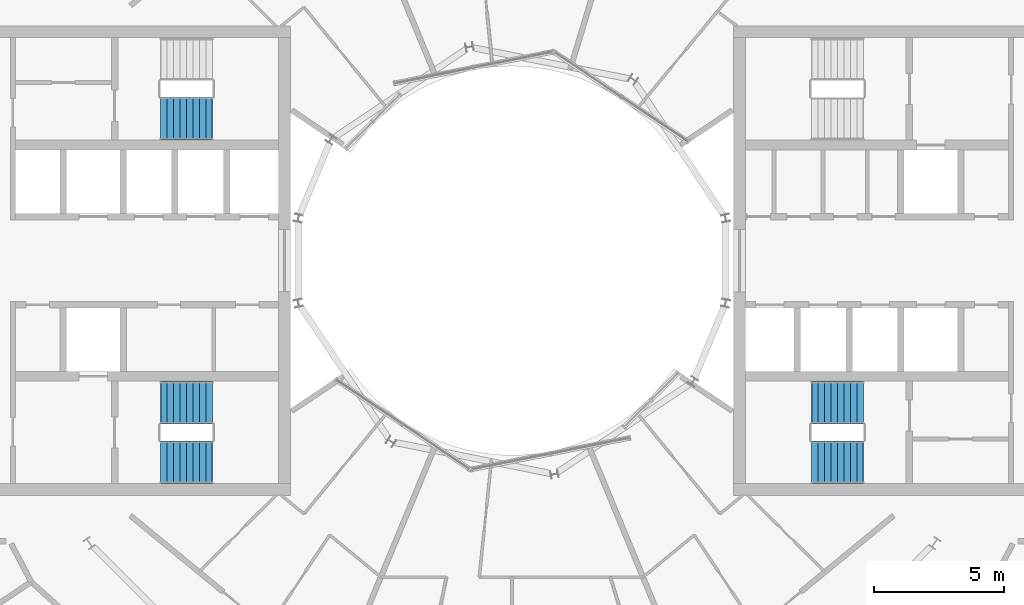
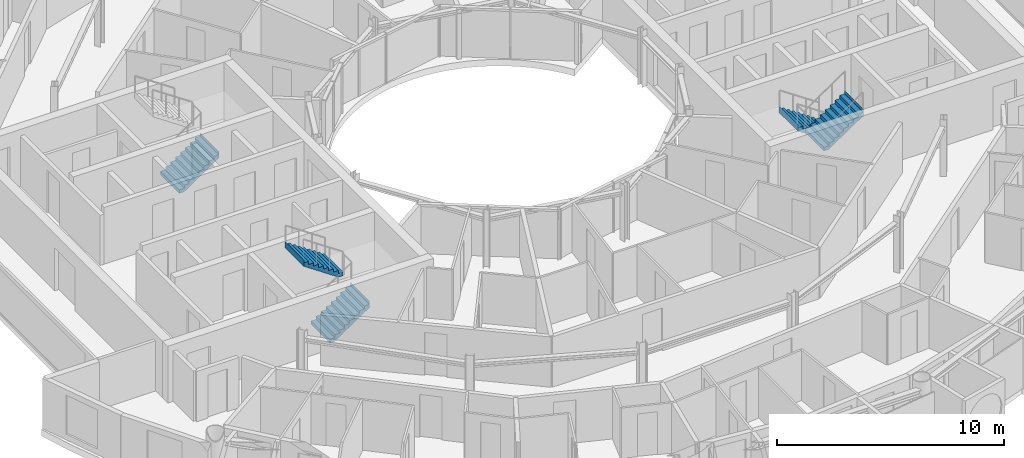
# One storey, part 26 of 29: 5 stair flights, 3 elements without a shape of their own.
"""IFC4 building model written with IfcOpenShell, lengths in metres."""

from ifc_helpers import new_model, si_unit, direction, frame, origin, place, context, subcontext, project, spatial, triangles, material, type_object, element, aggregate, save


model = new_model("IFC4")

# Units and contexts
model_context = context("Model", 3, precision=1e-05, world=origin(), true_north=direction((0.0, 1.0)))
body_context = subcontext(model_context, "Body", "Model", "MODEL_VIEW")
ifc_project = project(units=[si_unit("LENGTHUNIT", "METRE"), si_unit("AREAUNIT", "SQUARE_METRE"), si_unit("VOLUMEUNIT", "CUBIC_METRE"), si_unit("PLANEANGLEUNIT", "RADIAN"), si_unit("MASSUNIT", "GRAM", prefix="KILO")], contexts=[model_context])

# Site, building, storey
site_placement = place(None, origin())
site = spatial("IfcSite", under=ifc_project, at=site_placement, CompositionType="ELEMENT")
building_placement = place(site_placement, origin())
building = spatial("IfcBuilding", under=site, at=building_placement, Name="Maasbend Ring Residences", CompositionType="ELEMENT")
storey_placement = place(building_placement, frame((0.0, 0.0, 205.449951171875)))
storey = spatial("IfcBuildingStorey", under=building, at=storey_placement, Name="L59", CompositionType="ELEMENT", Elevation=205.449951171875)

# Stair, stair flights
ifc_material_1 = material(Name="Concrete C40/50", Category="concrete")
stair_type = type_object("IfcStairType", Name="CORE STAIR 18 RISERS", PredefinedType="HALF_TURN_STAIR", material=ifc_material_1)
stair_1_placement = place(storey_placement, origin())
stair_1 = element("IfcStair", 1, at=stair_1_placement, inside=storey, type_object=stair_type, Name="L59 Exit stair ST-E2", PredefinedType="HALF_TURN_STAIR")
ifc_material_2 = material(Name="Concrete C40/50", Category="concrete")
stair_flight_type = type_object("IfcStairFlightType", Name="CORE STAIR FLIGHT 1650", PredefinedType="STRAIGHT", material=ifc_material_2)
stair_flight_1_placement = place(storey_placement, frame((13.550048828125, -5.47509765625, 0.0), z_axis=(0.0, 0.0, 1.0), x_axis=(-1.0, 0.0, 0.0)))
stair_flight_1 = element("IfcStairFlight", 2, at=stair_flight_1_placement, type_object=stair_flight_type, Name="ST-E2 flight 1", NumberOfRisers=9, NumberOfTreads=8, PredefinedType="STRAIGHT", RiserHeight=0.169444444, TreadLength=0.25, context=body_context, shape_type="Tessellation", body=[
    triangles([(0.24072265625, 0.824951171875, -0.02001953125), (2.0029296875, 0.824951171875, 1.174560546875), (2.0029296875, 0.824951171875, 1.52490234375), (1.989990234375, 0.824951171875, 1.35546875), (1.75, 0.824951171875, 1.35546875), (1.75, 0.824951171875, 1.18603515625), (1.5, 0.824951171875, 1.18603515625), (1.5, 0.824951171875, 1.0166015625), (1.25, 0.824951171875, 1.0166015625), (1.25, 0.824951171875, 0.84716796875), (1.0, 0.824951171875, 0.84716796875), (1.0, 0.824951171875, 0.677734375), (0.75, 0.824951171875, 0.677734375), (0.75, 0.824951171875, 0.50830078125), (0.5, 0.824951171875, 0.50830078125), (0.5, 0.824951171875, 0.3388671875), (0.25, 0.824951171875, 0.3388671875), (0.25, 0.824951171875, 0.16943359375), (0.0, 0.824951171875, 0.16943359375), (0.0, 0.824951171875, 0.0), (-0.0029296875, 0.824951171875, 0.0), (-0.0029296875, 0.824951171875, -0.02001953125), (0.24072265625, 0.27490234375, -0.02001953125), (2.0029296875, 0.27490234375, 1.174560546875), (2.0029296875, 0.27490234375, 1.52490234375), (1.989990234375, 0.27490234375, 1.35546875), (1.75, 0.27490234375, 1.35546875), (1.75, 0.27490234375, 1.18603515625), (1.5, 0.27490234375, 1.18603515625), (1.5, 0.27490234375, 1.0166015625), (1.25, 0.27490234375, 1.0166015625), (1.25, 0.27490234375, 0.84716796875), (1.0, 0.27490234375, 0.84716796875), (1.0, 0.27490234375, 0.677734375), (0.75, 0.27490234375, 0.677734375), (0.75, 0.27490234375, 0.50830078125), (0.5, 0.27490234375, 0.50830078125), (0.5, 0.27490234375, 0.3388671875), (0.25, 0.27490234375, 0.3388671875), (0.25, 0.27490234375, 0.16943359375), (0.0, 0.27490234375, 0.16943359375), (0.0, 0.27490234375, 0.0), (-0.0029296875, 0.27490234375, 0.0), (-0.0029296875, 0.27490234375, -0.02001953125), (0.24072265625, -0.27490234375, -0.02001953125), (2.0029296875, -0.27490234375, 1.174560546875), (2.0029296875, -0.27490234375, 1.52490234375), (1.989990234375, -0.27490234375, 1.35546875), (1.75, -0.27490234375, 1.35546875), (1.75, -0.27490234375, 1.18603515625), (1.5, -0.27490234375, 1.18603515625), (1.5, -0.27490234375, 1.0166015625), (1.25, -0.27490234375, 1.0166015625), (1.25, -0.27490234375, 0.84716796875), (1.0, -0.27490234375, 0.84716796875), (1.0, -0.27490234375, 0.677734375), (0.75, -0.27490234375, 0.677734375), (0.75, -0.27490234375, 0.50830078125), (0.5, -0.27490234375, 0.50830078125), (0.5, -0.27490234375, 0.3388671875), (0.25, -0.27490234375, 0.3388671875), (0.25, -0.27490234375, 0.16943359375), (0.0, -0.27490234375, 0.16943359375), (0.0, -0.27490234375, 0.0), (-0.0029296875, -0.27490234375, 0.0), (-0.0029296875, -0.27490234375, -0.02001953125), (0.24072265625, -0.824951171875, -0.02001953125), (2.0029296875, -0.824951171875, 1.174560546875), (2.0029296875, -0.824951171875, 1.52490234375), (1.989990234375, -0.824951171875, 1.35546875), (1.75, -0.824951171875, 1.35546875), (1.75, -0.824951171875, 1.18603515625), (1.5, -0.824951171875, 1.18603515625), (1.5, -0.824951171875, 1.0166015625), (1.25, -0.824951171875, 1.0166015625), (1.25, -0.824951171875, 0.84716796875), (1.0, -0.824951171875, 0.84716796875), (1.0, -0.824951171875, 0.677734375), (0.75, -0.824951171875, 0.677734375), (0.75, -0.824951171875, 0.50830078125), (0.5, -0.824951171875, 0.50830078125), (0.5, -0.824951171875, 0.3388671875), (0.25, -0.824951171875, 0.3388671875), (0.25, -0.824951171875, 0.16943359375), (0.0, -0.824951171875, 0.16943359375), (0.0, -0.824951171875, 0.0), (-0.0029296875, -0.824951171875, 0.0), (-0.0029296875, -0.824951171875, -0.02001953125)], [[1, 2, 24], [1, 24, 23], [23, 24, 46], [23, 46, 45], [45, 46, 68], [45, 68, 67], [2, 3, 25], [2, 25, 24], [24, 25, 47], [24, 47, 46], [46, 47, 69], [46, 69, 68], [3, 4, 26], [3, 26, 25], [25, 26, 48], [25, 48, 47], [47, 48, 70], [47, 70, 69], [4, 5, 27], [4, 27, 26], [26, 27, 49], [26, 49, 48], [48, 49, 71], [48, 71, 70], [5, 6, 28], [5, 28, 27], [27, 28, 50], [27, 50, 49], [49, 50, 72], [49, 72, 71], [6, 7, 29], [6, 29, 28], [28, 29, 51], [28, 51, 50], [50, 51, 73], [50, 73, 72], [7, 8, 30], [7, 30, 29], [29, 30, 52], [29, 52, 51], [51, 52, 74], [51, 74, 73], [8, 9, 31], [8, 31, 30], [30, 31, 53], [30, 53, 52], [52, 53, 75], [52, 75, 74], [9, 10, 32], [9, 32, 31], [31, 32, 54], [31, 54, 53], [53, 54, 76], [53, 76, 75], [10, 11, 33], [10, 33, 32], [32, 33, 55], [32, 55, 54], [54, 55, 77], [54, 77, 76], [11, 12, 34], [11, 34, 33], [33, 34, 56], [33, 56, 55], [55, 56, 78], [55, 78, 77], [12, 13, 35], [12, 35, 34], [34, 35, 57], [34, 57, 56], [56, 57, 79], [56, 79, 78], [13, 14, 36], [13, 36, 35], [35, 36, 58], [35, 58, 57], [57, 58, 80], [57, 80, 79], [14, 15, 37], [14, 37, 36], [36, 37, 59], [36, 59, 58], [58, 59, 81], [58, 81, 80], [15, 16, 38], [15, 38, 37], [37, 38, 60], [37, 60, 59], [59, 60, 82], [59, 82, 81], [16, 17, 39], [16, 39, 38], [38, 39, 61], [38, 61, 60], [60, 61, 83], [60, 83, 82], [17, 18, 40], [17, 40, 39], [39, 40, 62], [39, 62, 61], [61, 62, 84], [61, 84, 83], [18, 19, 41], [18, 41, 40], [40, 41, 63], [40, 63, 62], [62, 63, 85], [62, 85, 84], [19, 20, 42], [19, 42, 41], [41, 42, 64], [41, 64, 63], [63, 64, 86], [63, 86, 85], [20, 21, 43], [20, 43, 42], [42, 43, 65], [42, 65, 64], [64, 65, 87], [64, 87, 86], [21, 22, 44], [21, 44, 43], [43, 44, 66], [43, 66, 65], [65, 66, 88], [65, 88, 87], [22, 1, 23], [22, 23, 44], [44, 23, 45], [44, 45, 66], [66, 45, 67], [66, 67, 88], [22, 2, 1], [2, 4, 3], [2, 5, 4], [2, 6, 5], [22, 6, 2], [6, 8, 7], [22, 8, 6], [8, 10, 9], [22, 10, 8], [10, 12, 11], [22, 12, 10], [12, 14, 13], [22, 14, 12], [14, 16, 15], [22, 16, 14], [16, 18, 17], [22, 18, 16], [18, 20, 19], [22, 20, 18], [20, 22, 21], [88, 67, 68], [68, 69, 70], [68, 70, 71], [68, 71, 72], [88, 68, 72], [72, 73, 74], [88, 72, 74], [74, 75, 76], [88, 74, 76], [76, 77, 78], [88, 76, 78], [78, 79, 80], [88, 78, 80], [80, 81, 82], [88, 80, 82], [82, 83, 84], [88, 82, 84], [84, 85, 86], [88, 84, 86], [86, 87, 88]], closed=True),
])
stair_flight_2_placement = place(storey_placement, frame((11.550048828125, -7.77490234375, 1.525146484375), z_axis=(0.0, 0.0, 1.0), x_axis=(1.0, 0.0, 0.0)))
stair_flight_2 = element("IfcStairFlight", 3, at=stair_flight_2_placement, type_object=stair_flight_type, Name="ST-E2 flight 2", NumberOfRisers=9, NumberOfTreads=8, PredefinedType="STRAIGHT", RiserHeight=0.169444444, TreadLength=0.25, context=body_context, shape_type="Tessellation", body=[
    triangles([(0.24072265625, 0.824951171875, -0.02001953125), (2.0029296875, 0.824951171875, 1.174560546875), (2.0029296875, 0.824951171875, 1.52490234375), (1.989990234375, 0.824951171875, 1.35546875), (1.75, 0.824951171875, 1.35546875), (1.75, 0.824951171875, 1.18603515625), (1.5, 0.824951171875, 1.18603515625), (1.5, 0.824951171875, 1.0166015625), (1.25, 0.824951171875, 1.0166015625), (1.25, 0.824951171875, 0.84716796875), (1.0, 0.824951171875, 0.84716796875), (1.0, 0.824951171875, 0.677734375), (0.75, 0.824951171875, 0.677734375), (0.75, 0.824951171875, 0.50830078125), (0.5, 0.824951171875, 0.50830078125), (0.5, 0.824951171875, 0.3388671875), (0.25, 0.824951171875, 0.3388671875), (0.25, 0.824951171875, 0.16943359375), (0.0, 0.824951171875, 0.16943359375), (0.0, 0.824951171875, 0.0), (-0.0029296875, 0.824951171875, 0.0), (-0.0029296875, 0.824951171875, -0.02001953125), (0.24072265625, 0.27490234375, -0.02001953125), (2.0029296875, 0.27490234375, 1.174560546875), (2.0029296875, 0.27490234375, 1.52490234375), (1.989990234375, 0.27490234375, 1.35546875), (1.75, 0.27490234375, 1.35546875), (1.75, 0.27490234375, 1.18603515625), (1.5, 0.27490234375, 1.18603515625), (1.5, 0.27490234375, 1.0166015625), (1.25, 0.27490234375, 1.0166015625), (1.25, 0.27490234375, 0.84716796875), (1.0, 0.27490234375, 0.84716796875), (1.0, 0.27490234375, 0.677734375), (0.75, 0.27490234375, 0.677734375), (0.75, 0.27490234375, 0.50830078125), (0.5, 0.27490234375, 0.50830078125), (0.5, 0.27490234375, 0.3388671875), (0.25, 0.27490234375, 0.3388671875), (0.25, 0.27490234375, 0.16943359375), (0.0, 0.27490234375, 0.16943359375), (0.0, 0.27490234375, 0.0), (-0.0029296875, 0.27490234375, 0.0), (-0.0029296875, 0.27490234375, -0.02001953125), (0.24072265625, -0.27490234375, -0.02001953125), (2.0029296875, -0.27490234375, 1.174560546875), (2.0029296875, -0.27490234375, 1.52490234375), (1.989990234375, -0.27490234375, 1.35546875), (1.75, -0.27490234375, 1.35546875), (1.75, -0.27490234375, 1.18603515625), (1.5, -0.27490234375, 1.18603515625), (1.5, -0.27490234375, 1.0166015625), (1.25, -0.27490234375, 1.0166015625), (1.25, -0.27490234375, 0.84716796875), (1.0, -0.27490234375, 0.84716796875), (1.0, -0.27490234375, 0.677734375), (0.75, -0.27490234375, 0.677734375), (0.75, -0.27490234375, 0.50830078125), (0.5, -0.27490234375, 0.50830078125), (0.5, -0.27490234375, 0.3388671875), (0.25, -0.27490234375, 0.3388671875), (0.25, -0.27490234375, 0.16943359375), (0.0, -0.27490234375, 0.16943359375), (0.0, -0.27490234375, 0.0), (-0.0029296875, -0.27490234375, 0.0), (-0.0029296875, -0.27490234375, -0.02001953125), (0.24072265625, -0.824951171875, -0.02001953125), (2.0029296875, -0.824951171875, 1.174560546875), (2.0029296875, -0.824951171875, 1.52490234375), (1.989990234375, -0.824951171875, 1.35546875), (1.75, -0.824951171875, 1.35546875), (1.75, -0.824951171875, 1.18603515625), (1.5, -0.824951171875, 1.18603515625), (1.5, -0.824951171875, 1.0166015625), (1.25, -0.824951171875, 1.0166015625), (1.25, -0.824951171875, 0.84716796875), (1.0, -0.824951171875, 0.84716796875), (1.0, -0.824951171875, 0.677734375), (0.75, -0.824951171875, 0.677734375), (0.75, -0.824951171875, 0.50830078125), (0.5, -0.824951171875, 0.50830078125), (0.5, -0.824951171875, 0.3388671875), (0.25, -0.824951171875, 0.3388671875), (0.25, -0.824951171875, 0.16943359375), (0.0, -0.824951171875, 0.16943359375), (0.0, -0.824951171875, 0.0), (-0.0029296875, -0.824951171875, 0.0), (-0.0029296875, -0.824951171875, -0.02001953125)], [[1, 2, 24], [1, 24, 23], [23, 24, 46], [23, 46, 45], [45, 46, 68], [45, 68, 67], [2, 3, 25], [2, 25, 24], [24, 25, 47], [24, 47, 46], [46, 47, 69], [46, 69, 68], [3, 4, 26], [3, 26, 25], [25, 26, 48], [25, 48, 47], [47, 48, 70], [47, 70, 69], [4, 5, 27], [4, 27, 26], [26, 27, 49], [26, 49, 48], [48, 49, 71], [48, 71, 70], [5, 6, 28], [5, 28, 27], [27, 28, 50], [27, 50, 49], [49, 50, 72], [49, 72, 71], [6, 7, 29], [6, 29, 28], [28, 29, 51], [28, 51, 50], [50, 51, 73], [50, 73, 72], [7, 8, 30], [7, 30, 29], [29, 30, 52], [29, 52, 51], [51, 52, 74], [51, 74, 73], [8, 9, 31], [8, 31, 30], [30, 31, 53], [30, 53, 52], [52, 53, 75], [52, 75, 74], [9, 10, 32], [9, 32, 31], [31, 32, 54], [31, 54, 53], [53, 54, 76], [53, 76, 75], [10, 11, 33], [10, 33, 32], [32, 33, 55], [32, 55, 54], [54, 55, 77], [54, 77, 76], [11, 12, 34], [11, 34, 33], [33, 34, 56], [33, 56, 55], [55, 56, 78], [55, 78, 77], [12, 13, 35], [12, 35, 34], [34, 35, 57], [34, 57, 56], [56, 57, 79], [56, 79, 78], [13, 14, 36], [13, 36, 35], [35, 36, 58], [35, 58, 57], [57, 58, 80], [57, 80, 79], [14, 15, 37], [14, 37, 36], [36, 37, 59], [36, 59, 58], [58, 59, 81], [58, 81, 80], [15, 16, 38], [15, 38, 37], [37, 38, 60], [37, 60, 59], [59, 60, 82], [59, 82, 81], [16, 17, 39], [16, 39, 38], [38, 39, 61], [38, 61, 60], [60, 61, 83], [60, 83, 82], [17, 18, 40], [17, 40, 39], [39, 40, 62], [39, 62, 61], [61, 62, 84], [61, 84, 83], [18, 19, 41], [18, 41, 40], [40, 41, 63], [40, 63, 62], [62, 63, 85], [62, 85, 84], [19, 20, 42], [19, 42, 41], [41, 42, 64], [41, 64, 63], [63, 64, 86], [63, 86, 85], [20, 21, 43], [20, 43, 42], [42, 43, 65], [42, 65, 64], [64, 65, 87], [64, 87, 86], [21, 22, 44], [21, 44, 43], [43, 44, 66], [43, 66, 65], [65, 66, 88], [65, 88, 87], [22, 1, 23], [22, 23, 44], [44, 23, 45], [44, 45, 66], [66, 45, 67], [66, 67, 88], [22, 2, 1], [2, 4, 3], [2, 5, 4], [2, 6, 5], [22, 6, 2], [6, 8, 7], [22, 8, 6], [8, 10, 9], [22, 10, 8], [10, 12, 11], [22, 12, 10], [12, 14, 13], [22, 14, 12], [14, 16, 15], [22, 16, 14], [16, 18, 17], [22, 18, 16], [18, 20, 19], [22, 20, 18], [20, 22, 21], [88, 67, 68], [68, 69, 70], [68, 70, 71], [68, 71, 72], [88, 68, 72], [72, 73, 74], [88, 72, 74], [74, 75, 76], [88, 74, 76], [76, 77, 78], [88, 76, 78], [78, 79, 80], [88, 78, 80], [80, 81, 82], [88, 80, 82], [82, 83, 84], [88, 82, 84], [84, 85, 86], [88, 84, 86], [86, 87, 88]], closed=True),
])
aggregate(stair_1, [stair_flight_1, stair_flight_2])

stair_2_placement = place(storey_placement, origin())
stair_2 = element("IfcStair", 4, at=stair_2_placement, inside=storey, type_object=stair_type, Name="L59 Exit stair ST-W1", PredefinedType="HALF_TURN_STAIR")
stair_flight_3_placement = place(storey_placement, frame((-13.550048828125, -7.77490234375, 0.0), z_axis=(0.0, 0.0, 1.0), x_axis=(1.0, 0.0, 0.0)))
stair_flight_3 = element("IfcStairFlight", 5, at=stair_flight_3_placement, type_object=stair_flight_type, Name="ST-W1 flight 1", NumberOfRisers=9, NumberOfTreads=8, PredefinedType="STRAIGHT", RiserHeight=0.169444444, TreadLength=0.25, context=body_context, shape_type="Tessellation", body=[
    triangles([(0.24072265625, 0.824951171875, -0.02001953125), (2.0029296875, 0.824951171875, 1.174560546875), (2.0029296875, 0.824951171875, 1.52490234375), (1.989990234375, 0.824951171875, 1.35546875), (1.75, 0.824951171875, 1.35546875), (1.75, 0.824951171875, 1.18603515625), (1.5, 0.824951171875, 1.18603515625), (1.5, 0.824951171875, 1.0166015625), (1.25, 0.824951171875, 1.0166015625), (1.25, 0.824951171875, 0.84716796875), (1.0, 0.824951171875, 0.84716796875), (1.0, 0.824951171875, 0.677734375), (0.75, 0.824951171875, 0.677734375), (0.75, 0.824951171875, 0.50830078125), (0.5, 0.824951171875, 0.50830078125), (0.5, 0.824951171875, 0.3388671875), (0.25, 0.824951171875, 0.3388671875), (0.25, 0.824951171875, 0.16943359375), (0.0, 0.824951171875, 0.16943359375), (0.0, 0.824951171875, 0.0), (-0.0029296875, 0.824951171875, 0.0), (-0.0029296875, 0.824951171875, -0.02001953125), (0.24072265625, 0.27490234375, -0.02001953125), (2.0029296875, 0.27490234375, 1.174560546875), (2.0029296875, 0.27490234375, 1.52490234375), (1.989990234375, 0.27490234375, 1.35546875), (1.75, 0.27490234375, 1.35546875), (1.75, 0.27490234375, 1.18603515625), (1.5, 0.27490234375, 1.18603515625), (1.5, 0.27490234375, 1.0166015625), (1.25, 0.27490234375, 1.0166015625), (1.25, 0.27490234375, 0.84716796875), (1.0, 0.27490234375, 0.84716796875), (1.0, 0.27490234375, 0.677734375), (0.75, 0.27490234375, 0.677734375), (0.75, 0.27490234375, 0.50830078125), (0.5, 0.27490234375, 0.50830078125), (0.5, 0.27490234375, 0.3388671875), (0.25, 0.27490234375, 0.3388671875), (0.25, 0.27490234375, 0.16943359375), (0.0, 0.27490234375, 0.16943359375), (0.0, 0.27490234375, 0.0), (-0.0029296875, 0.27490234375, 0.0), (-0.0029296875, 0.27490234375, -0.02001953125), (0.24072265625, -0.27490234375, -0.02001953125), (2.0029296875, -0.27490234375, 1.174560546875), (2.0029296875, -0.27490234375, 1.52490234375), (1.989990234375, -0.27490234375, 1.35546875), (1.75, -0.27490234375, 1.35546875), (1.75, -0.27490234375, 1.18603515625), (1.5, -0.27490234375, 1.18603515625), (1.5, -0.27490234375, 1.0166015625), (1.25, -0.27490234375, 1.0166015625), (1.25, -0.27490234375, 0.84716796875), (1.0, -0.27490234375, 0.84716796875), (1.0, -0.27490234375, 0.677734375), (0.75, -0.27490234375, 0.677734375), (0.75, -0.27490234375, 0.50830078125), (0.5, -0.27490234375, 0.50830078125), (0.5, -0.27490234375, 0.3388671875), (0.25, -0.27490234375, 0.3388671875), (0.25, -0.27490234375, 0.16943359375), (0.0, -0.27490234375, 0.16943359375), (0.0, -0.27490234375, 0.0), (-0.0029296875, -0.27490234375, 0.0), (-0.0029296875, -0.27490234375, -0.02001953125), (0.24072265625, -0.824951171875, -0.02001953125), (2.0029296875, -0.824951171875, 1.174560546875), (2.0029296875, -0.824951171875, 1.52490234375), (1.989990234375, -0.824951171875, 1.35546875), (1.75, -0.824951171875, 1.35546875), (1.75, -0.824951171875, 1.18603515625), (1.5, -0.824951171875, 1.18603515625), (1.5, -0.824951171875, 1.0166015625), (1.25, -0.824951171875, 1.0166015625), (1.25, -0.824951171875, 0.84716796875), (1.0, -0.824951171875, 0.84716796875), (1.0, -0.824951171875, 0.677734375), (0.75, -0.824951171875, 0.677734375), (0.75, -0.824951171875, 0.50830078125), (0.5, -0.824951171875, 0.50830078125), (0.5, -0.824951171875, 0.3388671875), (0.25, -0.824951171875, 0.3388671875), (0.25, -0.824951171875, 0.16943359375), (0.0, -0.824951171875, 0.16943359375), (0.0, -0.824951171875, 0.0), (-0.0029296875, -0.824951171875, 0.0), (-0.0029296875, -0.824951171875, -0.02001953125)], [[1, 2, 24], [1, 24, 23], [23, 24, 46], [23, 46, 45], [45, 46, 68], [45, 68, 67], [2, 3, 25], [2, 25, 24], [24, 25, 47], [24, 47, 46], [46, 47, 69], [46, 69, 68], [3, 4, 26], [3, 26, 25], [25, 26, 48], [25, 48, 47], [47, 48, 70], [47, 70, 69], [4, 5, 27], [4, 27, 26], [26, 27, 49], [26, 49, 48], [48, 49, 71], [48, 71, 70], [5, 6, 28], [5, 28, 27], [27, 28, 50], [27, 50, 49], [49, 50, 72], [49, 72, 71], [6, 7, 29], [6, 29, 28], [28, 29, 51], [28, 51, 50], [50, 51, 73], [50, 73, 72], [7, 8, 30], [7, 30, 29], [29, 30, 52], [29, 52, 51], [51, 52, 74], [51, 74, 73], [8, 9, 31], [8, 31, 30], [30, 31, 53], [30, 53, 52], [52, 53, 75], [52, 75, 74], [9, 10, 32], [9, 32, 31], [31, 32, 54], [31, 54, 53], [53, 54, 76], [53, 76, 75], [10, 11, 33], [10, 33, 32], [32, 33, 55], [32, 55, 54], [54, 55, 77], [54, 77, 76], [11, 12, 34], [11, 34, 33], [33, 34, 56], [33, 56, 55], [55, 56, 78], [55, 78, 77], [12, 13, 35], [12, 35, 34], [34, 35, 57], [34, 57, 56], [56, 57, 79], [56, 79, 78], [13, 14, 36], [13, 36, 35], [35, 36, 58], [35, 58, 57], [57, 58, 80], [57, 80, 79], [14, 15, 37], [14, 37, 36], [36, 37, 59], [36, 59, 58], [58, 59, 81], [58, 81, 80], [15, 16, 38], [15, 38, 37], [37, 38, 60], [37, 60, 59], [59, 60, 82], [59, 82, 81], [16, 17, 39], [16, 39, 38], [38, 39, 61], [38, 61, 60], [60, 61, 83], [60, 83, 82], [17, 18, 40], [17, 40, 39], [39, 40, 62], [39, 62, 61], [61, 62, 84], [61, 84, 83], [18, 19, 41], [18, 41, 40], [40, 41, 63], [40, 63, 62], [62, 63, 85], [62, 85, 84], [19, 20, 42], [19, 42, 41], [41, 42, 64], [41, 64, 63], [63, 64, 86], [63, 86, 85], [20, 21, 43], [20, 43, 42], [42, 43, 65], [42, 65, 64], [64, 65, 87], [64, 87, 86], [21, 22, 44], [21, 44, 43], [43, 44, 66], [43, 66, 65], [65, 66, 88], [65, 88, 87], [22, 1, 23], [22, 23, 44], [44, 23, 45], [44, 45, 66], [66, 45, 67], [66, 67, 88], [22, 2, 1], [2, 4, 3], [2, 5, 4], [2, 6, 5], [22, 6, 2], [6, 8, 7], [22, 8, 6], [8, 10, 9], [22, 10, 8], [10, 12, 11], [22, 12, 10], [12, 14, 13], [22, 14, 12], [14, 16, 15], [22, 16, 14], [16, 18, 17], [22, 18, 16], [18, 20, 19], [22, 20, 18], [20, 22, 21], [88, 67, 68], [68, 69, 70], [68, 70, 71], [68, 71, 72], [88, 68, 72], [72, 73, 74], [88, 72, 74], [74, 75, 76], [88, 74, 76], [76, 77, 78], [88, 76, 78], [78, 79, 80], [88, 78, 80], [80, 81, 82], [88, 80, 82], [82, 83, 84], [88, 82, 84], [84, 85, 86], [88, 84, 86], [86, 87, 88]], closed=True),
])
stair_flight_4_placement = place(storey_placement, frame((-11.550048828125, -5.47509765625, 1.525146484375), z_axis=(0.0, 0.0, 1.0), x_axis=(-1.0, 0.0, 0.0)))
stair_flight_4 = element("IfcStairFlight", 6, at=stair_flight_4_placement, type_object=stair_flight_type, Name="ST-W1 flight 2", NumberOfRisers=9, NumberOfTreads=8, PredefinedType="STRAIGHT", RiserHeight=0.169444444, TreadLength=0.25, context=body_context, shape_type="Tessellation", body=[
    triangles([(0.24072265625, 0.824951171875, -0.02001953125), (2.0029296875, 0.824951171875, 1.174560546875), (2.0029296875, 0.824951171875, 1.52490234375), (1.989990234375, 0.824951171875, 1.35546875), (1.75, 0.824951171875, 1.35546875), (1.75, 0.824951171875, 1.18603515625), (1.5, 0.824951171875, 1.18603515625), (1.5, 0.824951171875, 1.0166015625), (1.25, 0.824951171875, 1.0166015625), (1.25, 0.824951171875, 0.84716796875), (1.0, 0.824951171875, 0.84716796875), (1.0, 0.824951171875, 0.677734375), (0.75, 0.824951171875, 0.677734375), (0.75, 0.824951171875, 0.50830078125), (0.5, 0.824951171875, 0.50830078125), (0.5, 0.824951171875, 0.3388671875), (0.25, 0.824951171875, 0.3388671875), (0.25, 0.824951171875, 0.16943359375), (0.0, 0.824951171875, 0.16943359375), (0.0, 0.824951171875, 0.0), (-0.0029296875, 0.824951171875, 0.0), (-0.0029296875, 0.824951171875, -0.02001953125), (0.24072265625, 0.27490234375, -0.02001953125), (2.0029296875, 0.27490234375, 1.174560546875), (2.0029296875, 0.27490234375, 1.52490234375), (1.989990234375, 0.27490234375, 1.35546875), (1.75, 0.27490234375, 1.35546875), (1.75, 0.27490234375, 1.18603515625), (1.5, 0.27490234375, 1.18603515625), (1.5, 0.27490234375, 1.0166015625), (1.25, 0.27490234375, 1.0166015625), (1.25, 0.27490234375, 0.84716796875), (1.0, 0.27490234375, 0.84716796875), (1.0, 0.27490234375, 0.677734375), (0.75, 0.27490234375, 0.677734375), (0.75, 0.27490234375, 0.50830078125), (0.5, 0.27490234375, 0.50830078125), (0.5, 0.27490234375, 0.3388671875), (0.25, 0.27490234375, 0.3388671875), (0.25, 0.27490234375, 0.16943359375), (0.0, 0.27490234375, 0.16943359375), (0.0, 0.27490234375, 0.0), (-0.0029296875, 0.27490234375, 0.0), (-0.0029296875, 0.27490234375, -0.02001953125), (0.24072265625, -0.27490234375, -0.02001953125), (2.0029296875, -0.27490234375, 1.174560546875), (2.0029296875, -0.27490234375, 1.52490234375), (1.989990234375, -0.27490234375, 1.35546875), (1.75, -0.27490234375, 1.35546875), (1.75, -0.27490234375, 1.18603515625), (1.5, -0.27490234375, 1.18603515625), (1.5, -0.27490234375, 1.0166015625), (1.25, -0.27490234375, 1.0166015625), (1.25, -0.27490234375, 0.84716796875), (1.0, -0.27490234375, 0.84716796875), (1.0, -0.27490234375, 0.677734375), (0.75, -0.27490234375, 0.677734375), (0.75, -0.27490234375, 0.50830078125), (0.5, -0.27490234375, 0.50830078125), (0.5, -0.27490234375, 0.3388671875), (0.25, -0.27490234375, 0.3388671875), (0.25, -0.27490234375, 0.16943359375), (0.0, -0.27490234375, 0.16943359375), (0.0, -0.27490234375, 0.0), (-0.0029296875, -0.27490234375, 0.0), (-0.0029296875, -0.27490234375, -0.02001953125), (0.24072265625, -0.824951171875, -0.02001953125), (2.0029296875, -0.824951171875, 1.174560546875), (2.0029296875, -0.824951171875, 1.52490234375), (1.989990234375, -0.824951171875, 1.35546875), (1.75, -0.824951171875, 1.35546875), (1.75, -0.824951171875, 1.18603515625), (1.5, -0.824951171875, 1.18603515625), (1.5, -0.824951171875, 1.0166015625), (1.25, -0.824951171875, 1.0166015625), (1.25, -0.824951171875, 0.84716796875), (1.0, -0.824951171875, 0.84716796875), (1.0, -0.824951171875, 0.677734375), (0.75, -0.824951171875, 0.677734375), (0.75, -0.824951171875, 0.50830078125), (0.5, -0.824951171875, 0.50830078125), (0.5, -0.824951171875, 0.3388671875), (0.25, -0.824951171875, 0.3388671875), (0.25, -0.824951171875, 0.16943359375), (0.0, -0.824951171875, 0.16943359375), (0.0, -0.824951171875, 0.0), (-0.0029296875, -0.824951171875, 0.0), (-0.0029296875, -0.824951171875, -0.02001953125)], [[1, 2, 24], [1, 24, 23], [23, 24, 46], [23, 46, 45], [45, 46, 68], [45, 68, 67], [2, 3, 25], [2, 25, 24], [24, 25, 47], [24, 47, 46], [46, 47, 69], [46, 69, 68], [3, 4, 26], [3, 26, 25], [25, 26, 48], [25, 48, 47], [47, 48, 70], [47, 70, 69], [4, 5, 27], [4, 27, 26], [26, 27, 49], [26, 49, 48], [48, 49, 71], [48, 71, 70], [5, 6, 28], [5, 28, 27], [27, 28, 50], [27, 50, 49], [49, 50, 72], [49, 72, 71], [6, 7, 29], [6, 29, 28], [28, 29, 51], [28, 51, 50], [50, 51, 73], [50, 73, 72], [7, 8, 30], [7, 30, 29], [29, 30, 52], [29, 52, 51], [51, 52, 74], [51, 74, 73], [8, 9, 31], [8, 31, 30], [30, 31, 53], [30, 53, 52], [52, 53, 75], [52, 75, 74], [9, 10, 32], [9, 32, 31], [31, 32, 54], [31, 54, 53], [53, 54, 76], [53, 76, 75], [10, 11, 33], [10, 33, 32], [32, 33, 55], [32, 55, 54], [54, 55, 77], [54, 77, 76], [11, 12, 34], [11, 34, 33], [33, 34, 56], [33, 56, 55], [55, 56, 78], [55, 78, 77], [12, 13, 35], [12, 35, 34], [34, 35, 57], [34, 57, 56], [56, 57, 79], [56, 79, 78], [13, 14, 36], [13, 36, 35], [35, 36, 58], [35, 58, 57], [57, 58, 80], [57, 80, 79], [14, 15, 37], [14, 37, 36], [36, 37, 59], [36, 59, 58], [58, 59, 81], [58, 81, 80], [15, 16, 38], [15, 38, 37], [37, 38, 60], [37, 60, 59], [59, 60, 82], [59, 82, 81], [16, 17, 39], [16, 39, 38], [38, 39, 61], [38, 61, 60], [60, 61, 83], [60, 83, 82], [17, 18, 40], [17, 40, 39], [39, 40, 62], [39, 62, 61], [61, 62, 84], [61, 84, 83], [18, 19, 41], [18, 41, 40], [40, 41, 63], [40, 63, 62], [62, 63, 85], [62, 85, 84], [19, 20, 42], [19, 42, 41], [41, 42, 64], [41, 64, 63], [63, 64, 86], [63, 86, 85], [20, 21, 43], [20, 43, 42], [42, 43, 65], [42, 65, 64], [64, 65, 87], [64, 87, 86], [21, 22, 44], [21, 44, 43], [43, 44, 66], [43, 66, 65], [65, 66, 88], [65, 88, 87], [22, 1, 23], [22, 23, 44], [44, 23, 45], [44, 45, 66], [66, 45, 67], [66, 67, 88], [22, 2, 1], [2, 4, 3], [2, 5, 4], [2, 6, 5], [22, 6, 2], [6, 8, 7], [22, 8, 6], [8, 10, 9], [22, 10, 8], [10, 12, 11], [22, 12, 10], [12, 14, 13], [22, 14, 12], [14, 16, 15], [22, 16, 14], [16, 18, 17], [22, 18, 16], [18, 20, 19], [22, 20, 18], [20, 22, 21], [88, 67, 68], [68, 69, 70], [68, 70, 71], [68, 71, 72], [88, 68, 72], [72, 73, 74], [88, 72, 74], [74, 75, 76], [88, 74, 76], [76, 77, 78], [88, 76, 78], [78, 79, 80], [88, 78, 80], [80, 81, 82], [88, 80, 82], [82, 83, 84], [88, 82, 84], [84, 85, 86], [88, 84, 86], [86, 87, 88]], closed=True),
])
aggregate(stair_2, [stair_flight_3, stair_flight_4])

# Stair, stair flight
stair_3_placement = place(storey_placement, origin())
stair_3 = element("IfcStair", 7, at=stair_3_placement, inside=storey, type_object=stair_type, Name="L59 Exit stair ST-W2", PredefinedType="HALF_TURN_STAIR")
stair_flight_5_placement = place(storey_placement, frame((-13.550048828125, 5.47509765625, 0.0), z_axis=(0.0, 0.0, 1.0), x_axis=(1.0, 0.0, 0.0)))
stair_flight_5 = element("IfcStairFlight", 8, at=stair_flight_5_placement, type_object=stair_flight_type, Name="ST-W2 flight 1", NumberOfRisers=9, NumberOfTreads=8, PredefinedType="STRAIGHT", RiserHeight=0.169444444, TreadLength=0.25, context=body_context, shape_type="Tessellation", body=[
    triangles([(0.24072265625, 0.824951171875, -0.02001953125), (2.0029296875, 0.824951171875, 1.174560546875), (2.0029296875, 0.824951171875, 1.52490234375), (1.989990234375, 0.824951171875, 1.35546875), (1.75, 0.824951171875, 1.35546875), (1.75, 0.824951171875, 1.18603515625), (1.5, 0.824951171875, 1.18603515625), (1.5, 0.824951171875, 1.0166015625), (1.25, 0.824951171875, 1.0166015625), (1.25, 0.824951171875, 0.84716796875), (1.0, 0.824951171875, 0.84716796875), (1.0, 0.824951171875, 0.677734375), (0.75, 0.824951171875, 0.677734375), (0.75, 0.824951171875, 0.50830078125), (0.5, 0.824951171875, 0.50830078125), (0.5, 0.824951171875, 0.3388671875), (0.25, 0.824951171875, 0.3388671875), (0.25, 0.824951171875, 0.16943359375), (0.0, 0.824951171875, 0.16943359375), (0.0, 0.824951171875, 0.0), (-0.0029296875, 0.824951171875, 0.0), (-0.0029296875, 0.824951171875, -0.02001953125), (0.24072265625, 0.27490234375, -0.02001953125), (2.0029296875, 0.27490234375, 1.174560546875), (2.0029296875, 0.27490234375, 1.52490234375), (1.989990234375, 0.27490234375, 1.35546875), (1.75, 0.27490234375, 1.35546875), (1.75, 0.27490234375, 1.18603515625), (1.5, 0.27490234375, 1.18603515625), (1.5, 0.27490234375, 1.0166015625), (1.25, 0.27490234375, 1.0166015625), (1.25, 0.27490234375, 0.84716796875), (1.0, 0.27490234375, 0.84716796875), (1.0, 0.27490234375, 0.677734375), (0.75, 0.27490234375, 0.677734375), (0.75, 0.27490234375, 0.50830078125), (0.5, 0.27490234375, 0.50830078125), (0.5, 0.27490234375, 0.3388671875), (0.25, 0.27490234375, 0.3388671875), (0.25, 0.27490234375, 0.16943359375), (0.0, 0.27490234375, 0.16943359375), (0.0, 0.27490234375, 0.0), (-0.0029296875, 0.27490234375, 0.0), (-0.0029296875, 0.27490234375, -0.02001953125), (0.24072265625, -0.27490234375, -0.02001953125), (2.0029296875, -0.27490234375, 1.174560546875), (2.0029296875, -0.27490234375, 1.52490234375), (1.989990234375, -0.27490234375, 1.35546875), (1.75, -0.27490234375, 1.35546875), (1.75, -0.27490234375, 1.18603515625), (1.5, -0.27490234375, 1.18603515625), (1.5, -0.27490234375, 1.0166015625), (1.25, -0.27490234375, 1.0166015625), (1.25, -0.27490234375, 0.84716796875), (1.0, -0.27490234375, 0.84716796875), (1.0, -0.27490234375, 0.677734375), (0.75, -0.27490234375, 0.677734375), (0.75, -0.27490234375, 0.50830078125), (0.5, -0.27490234375, 0.50830078125), (0.5, -0.27490234375, 0.3388671875), (0.25, -0.27490234375, 0.3388671875), (0.25, -0.27490234375, 0.16943359375), (0.0, -0.27490234375, 0.16943359375), (0.0, -0.27490234375, 0.0), (-0.0029296875, -0.27490234375, 0.0), (-0.0029296875, -0.27490234375, -0.02001953125), (0.24072265625, -0.824951171875, -0.02001953125), (2.0029296875, -0.824951171875, 1.174560546875), (2.0029296875, -0.824951171875, 1.52490234375), (1.989990234375, -0.824951171875, 1.35546875), (1.75, -0.824951171875, 1.35546875), (1.75, -0.824951171875, 1.18603515625), (1.5, -0.824951171875, 1.18603515625), (1.5, -0.824951171875, 1.0166015625), (1.25, -0.824951171875, 1.0166015625), (1.25, -0.824951171875, 0.84716796875), (1.0, -0.824951171875, 0.84716796875), (1.0, -0.824951171875, 0.677734375), (0.75, -0.824951171875, 0.677734375), (0.75, -0.824951171875, 0.50830078125), (0.5, -0.824951171875, 0.50830078125), (0.5, -0.824951171875, 0.3388671875), (0.25, -0.824951171875, 0.3388671875), (0.25, -0.824951171875, 0.16943359375), (0.0, -0.824951171875, 0.16943359375), (0.0, -0.824951171875, 0.0), (-0.0029296875, -0.824951171875, 0.0), (-0.0029296875, -0.824951171875, -0.02001953125)], [[1, 2, 24], [1, 24, 23], [23, 24, 46], [23, 46, 45], [45, 46, 68], [45, 68, 67], [2, 3, 25], [2, 25, 24], [24, 25, 47], [24, 47, 46], [46, 47, 69], [46, 69, 68], [3, 4, 26], [3, 26, 25], [25, 26, 48], [25, 48, 47], [47, 48, 70], [47, 70, 69], [4, 5, 27], [4, 27, 26], [26, 27, 49], [26, 49, 48], [48, 49, 71], [48, 71, 70], [5, 6, 28], [5, 28, 27], [27, 28, 50], [27, 50, 49], [49, 50, 72], [49, 72, 71], [6, 7, 29], [6, 29, 28], [28, 29, 51], [28, 51, 50], [50, 51, 73], [50, 73, 72], [7, 8, 30], [7, 30, 29], [29, 30, 52], [29, 52, 51], [51, 52, 74], [51, 74, 73], [8, 9, 31], [8, 31, 30], [30, 31, 53], [30, 53, 52], [52, 53, 75], [52, 75, 74], [9, 10, 32], [9, 32, 31], [31, 32, 54], [31, 54, 53], [53, 54, 76], [53, 76, 75], [10, 11, 33], [10, 33, 32], [32, 33, 55], [32, 55, 54], [54, 55, 77], [54, 77, 76], [11, 12, 34], [11, 34, 33], [33, 34, 56], [33, 56, 55], [55, 56, 78], [55, 78, 77], [12, 13, 35], [12, 35, 34], [34, 35, 57], [34, 57, 56], [56, 57, 79], [56, 79, 78], [13, 14, 36], [13, 36, 35], [35, 36, 58], [35, 58, 57], [57, 58, 80], [57, 80, 79], [14, 15, 37], [14, 37, 36], [36, 37, 59], [36, 59, 58], [58, 59, 81], [58, 81, 80], [15, 16, 38], [15, 38, 37], [37, 38, 60], [37, 60, 59], [59, 60, 82], [59, 82, 81], [16, 17, 39], [16, 39, 38], [38, 39, 61], [38, 61, 60], [60, 61, 83], [60, 83, 82], [17, 18, 40], [17, 40, 39], [39, 40, 62], [39, 62, 61], [61, 62, 84], [61, 84, 83], [18, 19, 41], [18, 41, 40], [40, 41, 63], [40, 63, 62], [62, 63, 85], [62, 85, 84], [19, 20, 42], [19, 42, 41], [41, 42, 64], [41, 64, 63], [63, 64, 86], [63, 86, 85], [20, 21, 43], [20, 43, 42], [42, 43, 65], [42, 65, 64], [64, 65, 87], [64, 87, 86], [21, 22, 44], [21, 44, 43], [43, 44, 66], [43, 66, 65], [65, 66, 88], [65, 88, 87], [22, 1, 23], [22, 23, 44], [44, 23, 45], [44, 45, 66], [66, 45, 67], [66, 67, 88], [22, 2, 1], [2, 4, 3], [2, 5, 4], [2, 6, 5], [22, 6, 2], [6, 8, 7], [22, 8, 6], [8, 10, 9], [22, 10, 8], [10, 12, 11], [22, 12, 10], [12, 14, 13], [22, 14, 12], [14, 16, 15], [22, 16, 14], [16, 18, 17], [22, 18, 16], [18, 20, 19], [22, 20, 18], [20, 22, 21], [88, 67, 68], [68, 69, 70], [68, 70, 71], [68, 71, 72], [88, 68, 72], [72, 73, 74], [88, 72, 74], [74, 75, 76], [88, 74, 76], [76, 77, 78], [88, 76, 78], [78, 79, 80], [88, 78, 80], [80, 81, 82], [88, 80, 82], [82, 83, 84], [88, 82, 84], [84, 85, 86], [88, 84, 86], [86, 87, 88]], closed=True),
])
aggregate(stair_3, [stair_flight_5])

save(model, "model.ifc")
